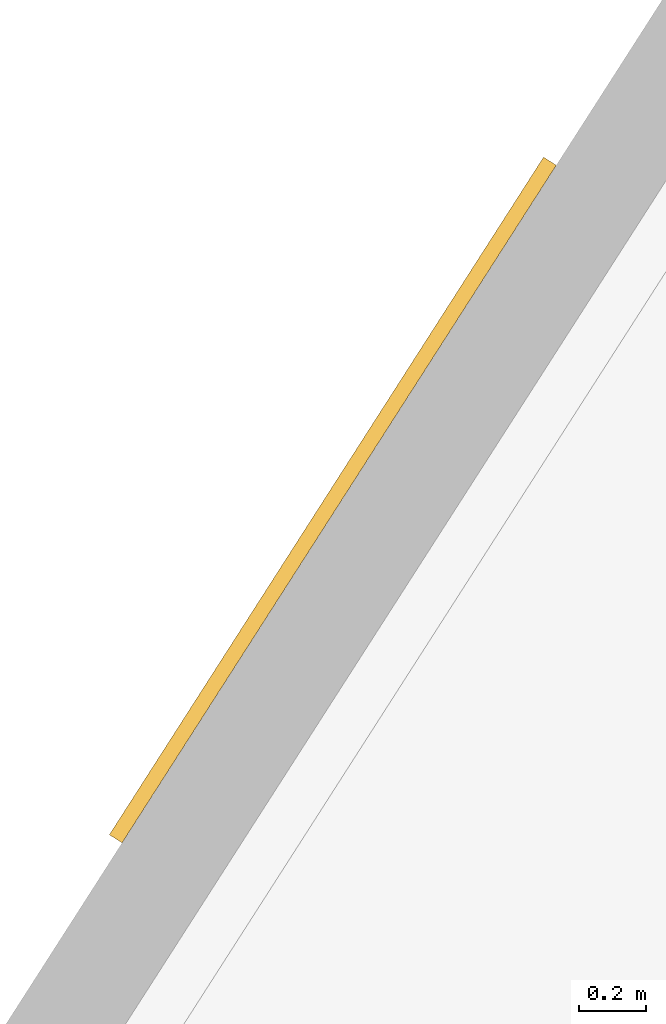
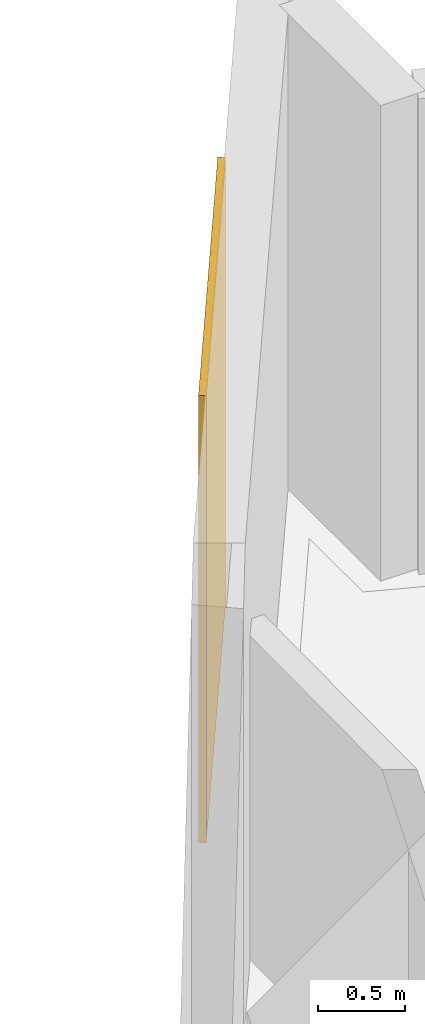
# One storey, part 15 of 15: 1 covering.
"""IFC4 building model written with IfcOpenShell, lengths in metres."""

from ifc_helpers import new_model, si_unit, direction, frame, origin, origin_2d, place, context, subcontext, project, spatial, rectangle, extrude, material, layer, layer_set, type_object, element, save


model = new_model("IFC4")

# Units and contexts
model_context = context("Model", 3, precision=1e-05, world=origin(), true_north=direction((0.0, 1.0)))
body_context = subcontext(model_context, "Body", "Model", "MODEL_VIEW")
ifc_project = project(units=[si_unit("LENGTHUNIT", "METRE"), si_unit("AREAUNIT", "SQUARE_METRE"), si_unit("VOLUMEUNIT", "CUBIC_METRE"), si_unit("PLANEANGLEUNIT", "RADIAN"), si_unit("MASSUNIT", "GRAM", prefix="KILO")], contexts=[model_context])

# Site, building, storey
site_placement = place(None, origin())
site = spatial("IfcSite", under=ifc_project, at=site_placement, CompositionType="ELEMENT")
building_placement = place(site_placement, origin())
building = spatial("IfcBuilding", under=site, at=building_placement, Name="Almagre Mirador Tower", CompositionType="ELEMENT")
storey_placement = place(building_placement, frame((0.0, 0.0, 39.0)))
storey = spatial("IfcBuildingStorey", under=building, at=storey_placement, Name="L08", CompositionType="ELEMENT", Elevation=39.0)

# Covering
ifc_material = material(Name="Almagre terracotta architectural cladding", Category="masonry")
ifc_layer = layer(ifc_material, 0.044921875)
ifc_layer_set = layer_set([ifc_layer], Name="Almagre terracotta architectural cladding")
covering_type = type_object("IfcCoveringType", Name="COV-CLAD-ALMAGRE", PredefinedType="CLADDING", material=ifc_layer_set)
covering_placement = place(storey_placement, frame((31.414306640625, 43.964599609375, 0.10009765625), z_axis=(0.0, 0.0, 1.0), x_axis=(0.539535148555, 0.841963077263, 0.0)))
element("IfcCovering", 1, at=covering_placement, inside=storey, type_object=covering_type, Name="L08 almagre terracotta pier cladding", PredefinedType="CLADDING", context=body_context, shape_type="SweptSolid", body=[
    extrude(rectangle(XDim=2.39990234375, YDim=0.044921875, at=origin_2d()), origin(), (0.0, 0.0, 1.0), 3.14990234375),
])

save(model, "model.ifc")
